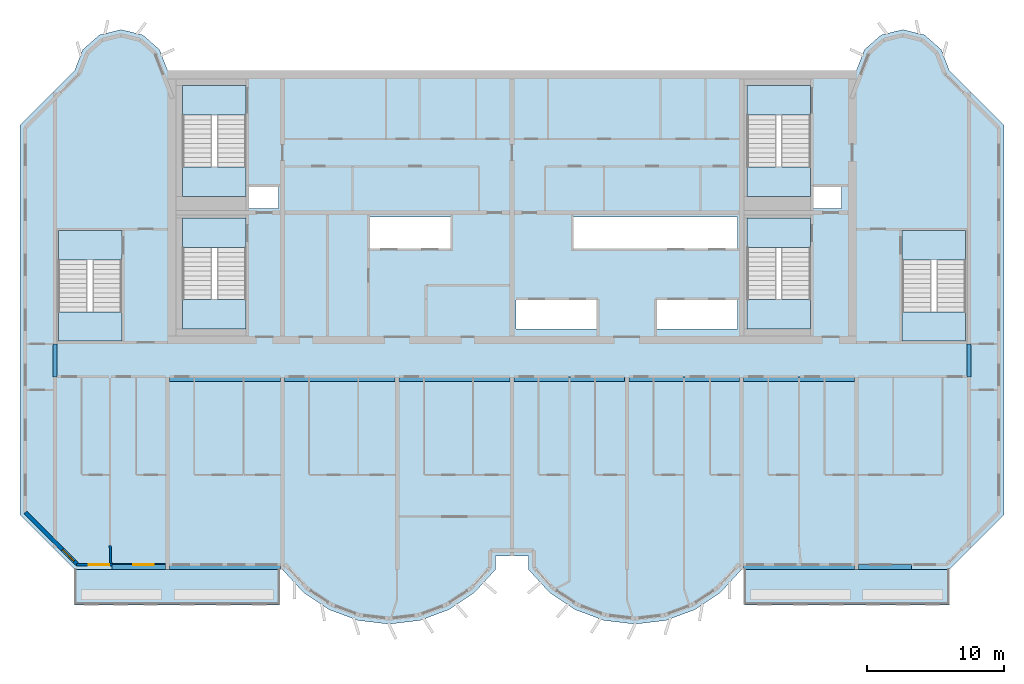
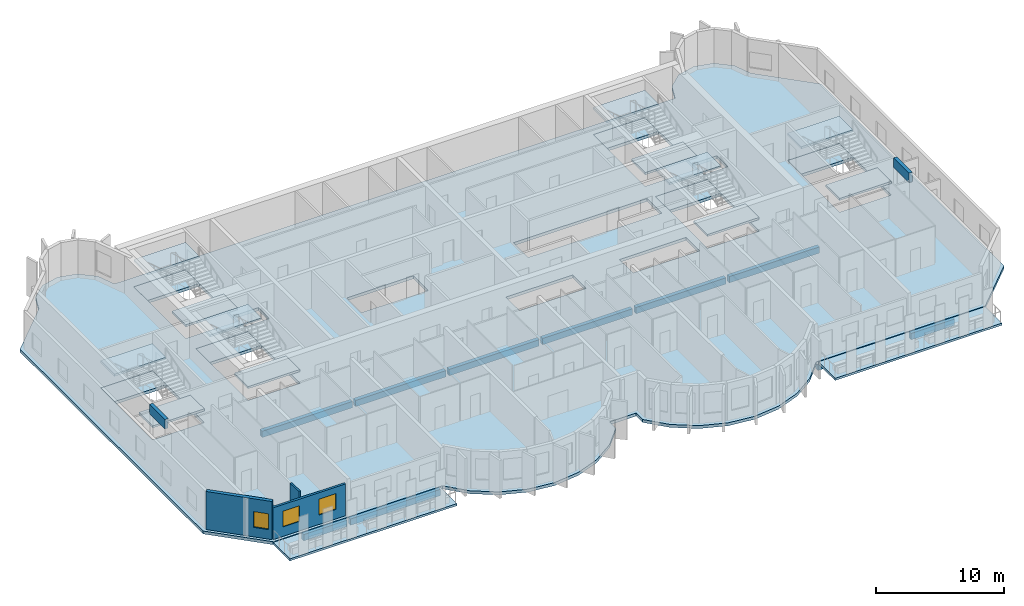
# One storey, part 1 of 11: 21 slabs, 12 beams, 3 walls, 3 windows, 3 openings, 6 elements without a shape of their own.
"""IFC4 building model written with IfcOpenShell, lengths in metres."""

from ifc_helpers import new_model, si_unit, direction, frame, frame_2d, origin, origin_2d, place, context, subcontext, project, spatial, polyline, rectangle, outline, extrude, source, transform, mapped, material, layer, layer_set, material_profile, profile_set, type_object, element, fill, aggregate, save


model = new_model("IFC4")

# Units and contexts
model_context = context("Model", 3, precision=1e-05, world=origin(), true_north=direction((0.0, 1.0)))
body_context = subcontext(model_context, "Body", "Model", "MODEL_VIEW")
ifc_project = project(units=[si_unit("LENGTHUNIT", "METRE"), si_unit("AREAUNIT", "SQUARE_METRE"), si_unit("VOLUMEUNIT", "CUBIC_METRE"), si_unit("PLANEANGLEUNIT", "RADIAN"), si_unit("MASSUNIT", "GRAM", prefix="KILO")], contexts=[model_context])

# Site, building, storey
site_placement = place(None, origin())
site = spatial("IfcSite", under=ifc_project, at=site_placement, CompositionType="ELEMENT")
building_placement = place(site_placement, origin())
building = spatial("IfcBuilding", under=site, at=building_placement, Name="Vanashikhar Sky Hotel", CompositionType="ELEMENT")
storey_placement = place(building_placement, frame((0.0, 0.0, 217.89990234375)))
storey = spatial("IfcBuildingStorey", under=building, at=storey_placement, Name="L52", CompositionType="ELEMENT", Elevation=217.89990234375)

# Beams
ifc_material_1 = material(Name="Concrete M50", Category="concrete")
ifc_material_profile_1 = material_profile(ifc_material_1, rectangle(XDim=0.300048828125, YDim=0.89990234375, at=origin_2d()))
ifc_profile_set_1 = profile_set([ifc_material_profile_1], Name="RC 300x900 beam Concrete M50")
beam_type_1 = type_object("IfcBeamType", Name="RC 300x900 beam Concrete M50", PredefinedType="LINTEL", material=ifc_profile_set_1)
shared_shape_1 = source(origin(), body_context, "Body", "SweptSolid", [
    extrude(rectangle(XDim=0.300048828125, YDim=0.89990234375, at=origin_2d()), origin(), (0.0, 0.0, 1.0), 2.39990234375),
])
for number, where, z_axis, x_axis, name in (
    (1, (16.949951171875, 19.60009765625, 3.170166015625), (0.0, 1.0, 0.0), (-1.0, 0.0, 0.0), "LB-L52-XW03"),
    (2, (83.85009765625, 19.60009765625, 3.170166015625), (0.0, 1.0, 0.0), (-1.0, 0.0, 0.0), "LB-L52-XW11"),
):
    element("IfcBeam", number, at=place(storey_placement, frame(where, z_axis=z_axis, x_axis=x_axis)), inside=storey, type_object=beam_type_1, Name=name, PredefinedType="LINTEL", context=body_context, shape_type="MappedRepresentation", body=[
        mapped(shared_shape_1, transform((0.0, 0.0, 0.0), scale=1.0)),
    ])
ifc_material_profile_2 = material_profile(ifc_material_1, rectangle(XDim=0.35009765625, YDim=0.60009765625, at=origin_2d()))
ifc_profile_set_2 = profile_set([ifc_material_profile_2], Name="RC 350x600 beam Concrete M50")
beam_type_2 = type_object("IfcBeamType", Name="RC 350x600 beam Concrete M50", PredefinedType="SPANDREL", material=ifc_profile_set_2)
shared_shape_2 = source(origin(), body_context, "Body", "SweptSolid", [
    extrude(rectangle(XDim=0.35009765625, YDim=0.60009765625, at=origin_2d()), origin(), (0.0, 0.0, 1.0), 8.099853515625),
])
for number, where, z_axis, x_axis, name in (
    (3, (25.35009765625, 5.675048828125, -0.579833984375), (1.0, 0.0, 0.0), (0.0, 1.0, 0.0), "EB-L52-F01"),
    (4, (67.35009765625, 5.675048828125, -0.579833984375), (1.0, 0.0, 0.0), (0.0, 1.0, 0.0), "EB-L52-F03"),
    (5, (25.35009765625, 19.425048828125, -0.579833984375), (1.0, 0.0, 0.0), (0.0, 1.0, 0.0), "CB-L52-01"),
    (6, (50.550048828125, 19.425048828125, -0.579833984375), (1.0, 0.0, 0.0), (0.0, 1.0, 0.0), "CB-L52-04"),
    (7, (67.35009765625, 19.425048828125, -0.579833984375), (1.0, 0.0, 0.0), (0.0, 1.0, 0.0), "CB-L52-06"),
):
    element("IfcBeam", number, at=place(storey_placement, frame(where, z_axis=z_axis, x_axis=x_axis)), inside=storey, type_object=beam_type_2, Name=name, PredefinedType="SPANDREL", context=body_context, shape_type="MappedRepresentation", body=[
        mapped(shared_shape_2, transform((0.0, 0.0, 0.0), scale=1.0)),
    ])
ifc_material_profile_3 = material_profile(ifc_material_1, rectangle(XDim=0.35009765625, YDim=0.60009765625, at=origin_2d()))
ifc_profile_set_3 = profile_set([ifc_material_profile_3], Name="RC 350x600 cantilever beam Concrete M50")
beam_type_3 = type_object("IfcBeamType", Name="RC 350x600 cantilever beam Concrete M50", PredefinedType="SPANDREL", material=ifc_profile_set_3)
shared_shape_3 = source(origin(), body_context, "Body", "SweptSolid", [
    extrude(rectangle(XDim=0.35009765625, YDim=0.60009765625, at=origin_2d()), origin(), (0.0, 0.0, 1.0), 3.900146484375),
])
beam_1_placement = place(storey_placement, frame((21.14990234375, 5.675048828125, -0.579833984375), z_axis=(1.0, 0.0, 0.0), x_axis=(0.0, 1.0, 0.0)))
element("IfcBeam", 8, at=beam_1_placement, inside=storey, type_object=beam_type_3, Name="EB-L52-F02", PredefinedType="SPANDREL", context=body_context, shape_type="MappedRepresentation", body=[
    mapped(shared_shape_3, transform((0.0, 0.0, 0.0), scale=1.0)),
])
shared_shape_4 = source(origin(), body_context, "Body", "SweptSolid", [
    extrude(rectangle(XDim=0.35009765625, YDim=0.60009765625, at=origin_2d()), origin(), (0.0, 0.0, 1.0), 3.89990234375),
])
beam_2_placement = place(storey_placement, frame((75.75, 5.675048828125, -0.579833984375), z_axis=(1.0, 0.0, 0.0), x_axis=(0.0, 1.0, 0.0)))
element("IfcBeam", 9, at=beam_2_placement, inside=storey, type_object=beam_type_3, Name="EB-L52-F04", PredefinedType="SPANDREL", context=body_context, shape_type="MappedRepresentation", body=[
    mapped(shared_shape_4, transform((0.0, 0.0, 0.0), scale=1.0)),
])
shared_shape_5 = source(origin(), body_context, "Body", "SweptSolid", [
    extrude(rectangle(XDim=0.35009765625, YDim=0.60009765625, at=origin_2d()), origin(), (0.0, 0.0, 1.0), 8.10009765625),
])
for number, where, z_axis, x_axis, name in (
    (10, (33.75, 19.425048828125, -0.579833984375), (1.0, 0.0, 0.0), (0.0, 1.0, 0.0), "CB-L52-02"),
    (11, (42.14990234375, 19.425048828125, -0.579833984375), (1.0, 0.0, 0.0), (0.0, 1.0, 0.0), "CB-L52-03"),
    (12, (58.949951171875, 19.425048828125, -0.579833984375), (1.0, 0.0, 0.0), (0.0, 1.0, 0.0), "CB-L52-05"),
):
    element("IfcBeam", number, at=place(storey_placement, frame(where, z_axis=z_axis, x_axis=x_axis)), inside=storey, type_object=beam_type_2, Name=name, PredefinedType="SPANDREL", context=body_context, shape_type="MappedRepresentation", body=[
        mapped(shared_shape_5, transform((0.0, 0.0, 0.0), scale=1.0)),
    ])

# Slabs
ifc_material_2 = material(Name="Concrete M40", Category="concrete")
ifc_layer_1 = layer(ifc_material_2, 0.280029296875)
ifc_layer_set_1 = layer_set([ifc_layer_1], Name="Floor slab 280 mm")
slab_type_1 = type_object("IfcSlabType", Name="Floor slab 280 mm", PredefinedType="FLOOR", material=ifc_layer_set_1)
shared_shape_6 = source(origin(), body_context, "Body", "SweptSolid", [
    extrude(outline(polyline([(49.199951171875, 5.5), (49.199951171875, 6.5), (51.60009765625, 6.5), (51.60009765625, 5.5), (53.133056640625, 3.825927734375), (55.01708984375, 2.55810546875), (57.14599609375, 1.76806640625), (59.39990234375, 1.5), (61.654052734375, 1.76806640625), (63.782958984375, 2.55810546875), (65.6669921875, 3.825927734375), (67.199951171875, 5.5), (82.39990234375, 5.5), (86.39990234375, 9.5), (86.39990234375, 38.0), (82.39990234375, 42.0), (81.81494140625, 43.527099609375), (80.587890625, 44.610107421875), (79.0, 45.0), (77.412109375, 44.610107421875), (76.18505859375, 43.527099609375), (75.60009765625, 42.0), (25.199951171875, 42.0), (24.614990234375, 43.527099609375), (23.387939453125, 44.610107421875), (21.800048828125, 45.0), (20.2119140625, 44.610107421875), (18.985107421875, 43.527099609375), (18.39990234375, 42.0), (14.39990234375, 38.0), (14.39990234375, 9.5), (18.39990234375, 5.5), (33.60009765625, 5.5), (35.133056640625, 3.825927734375), (37.01708984375, 2.55810546875), (39.14599609375, 1.76806640625), (41.39990234375, 1.5), (43.654052734375, 1.76806640625), (45.782958984375, 2.55810546875), (47.6669921875, 3.825927734375), (49.199951171875, 5.5)]), holes=[polyline([(33.300048828125, 33.60009765625), (31.050048828125, 33.60009765625), (31.050048828125, 31.89990234375), (33.300048828125, 31.89990234375), (33.300048828125, 33.60009765625)]), polyline([(39.89990234375, 31.300048828125), (39.89990234375, 29.0), (45.89990234375, 29.0), (45.89990234375, 31.300048828125), (39.89990234375, 31.300048828125)]), polyline([(50.699951171875, 25.199951171875), (50.699951171875, 23.10009765625), (56.699951171875, 23.10009765625), (56.699951171875, 25.199951171875), (50.699951171875, 25.199951171875)]), polyline([(66.89990234375, 29.0), (66.89990234375, 31.300048828125), (54.89990234375, 31.300048828125), (54.89990234375, 29.0), (66.89990234375, 29.0)]), polyline([(60.89990234375, 25.199951171875), (60.89990234375, 23.10009765625), (66.89990234375, 23.10009765625), (66.89990234375, 25.199951171875), (60.89990234375, 25.199951171875)]), polyline([(74.5, 33.60009765625), (72.35009765625, 33.60009765625), (72.35009765625, 31.89990234375), (74.5, 31.89990234375), (74.5, 33.60009765625)]), polyline([(30.949951171875, 23.10009765625), (30.949951171875, 31.199951171875), (26.300048828125, 31.199951171875), (26.300048828125, 23.10009765625), (30.949951171875, 23.10009765625)]), polyline([(72.25, 23.10009765625), (72.25, 31.199951171875), (67.60009765625, 31.199951171875), (67.60009765625, 23.10009765625), (72.25, 23.10009765625)]), polyline([(30.949951171875, 32.800048828125), (30.949951171875, 40.89990234375), (26.300048828125, 40.89990234375), (26.300048828125, 32.800048828125), (30.949951171875, 32.800048828125)]), polyline([(72.25, 32.800048828125), (72.25, 40.89990234375), (67.60009765625, 40.89990234375), (67.60009765625, 32.800048828125), (72.25, 32.800048828125)]), polyline([(83.60009765625, 22.199951171875), (83.60009765625, 30.300048828125), (78.949951171875, 30.300048828125), (78.949951171875, 22.199951171875), (83.60009765625, 22.199951171875)]), polyline([(21.85009765625, 22.199951171875), (21.85009765625, 30.300048828125), (17.199951171875, 30.300048828125), (17.199951171875, 22.199951171875), (21.85009765625, 22.199951171875)])]), origin(), (0.0, 0.0, 1.0), 0.27978515625),
])
slab_1_placement = place(storey_placement, frame((0.0, 0.0, -0.27978515625)))
element("IfcSlab", 13, at=slab_1_placement, inside=storey, type_object=slab_type_1, Name="Floor slab L52", PredefinedType="FLOOR", context=body_context, shape_type="MappedRepresentation", body=[
    mapped(shared_shape_6, transform((0.0, 0.0, 0.0), scale=1.0)),
])
ifc_layer_2 = layer(ifc_material_2, 0.199951171875)
ifc_layer_set_2 = layer_set([ifc_layer_2], Name="Balcony slab 200 mm")
slab_type_2 = type_object("IfcSlabType", Name="Balcony slab 200 mm", PredefinedType="USERDEFINED", material=ifc_layer_set_2)
shared_shape_7 = source(origin(), body_context, "Body", "SweptSolid", [
    extrude(outline(polyline([(18.39990234375, 2.89990234375), (33.39990234375, 2.89990234375), (33.39990234375, 5.5), (18.39990234375, 5.5), (18.39990234375, 2.89990234375)])), origin(), (0.0, 0.0, 1.0), 0.2001953125),
])
slab_2_placement = place(storey_placement, frame((0.0, 0.0, -0.25)))
element("IfcSlab", 14, at=slab_2_placement, inside=storey, type_object=slab_type_2, Name="Balcony slab L52 1", ObjectType="BALCONY", PredefinedType="USERDEFINED", context=body_context, shape_type="MappedRepresentation", body=[
    mapped(shared_shape_7, transform((0.0, 0.0, 0.0), scale=1.0)),
])
shared_shape_8 = source(origin(), body_context, "Body", "SweptSolid", [
    extrude(outline(polyline([(67.39990234375, 2.89990234375), (82.39990234375, 2.89990234375), (82.39990234375, 5.5), (67.39990234375, 5.5), (67.39990234375, 2.89990234375)])), origin(), (0.0, 0.0, 1.0), 0.2001953125),
])
slab_3_placement = place(storey_placement, frame((0.0, 0.0, -0.25)))
element("IfcSlab", 15, at=slab_3_placement, inside=storey, type_object=slab_type_2, Name="Balcony slab L52 2", ObjectType="BALCONY", PredefinedType="USERDEFINED", context=body_context, shape_type="MappedRepresentation", body=[
    mapped(shared_shape_8, transform((0.0, 0.0, 0.0), scale=1.0)),
])

# Stair, slabs
stair_type = type_object("IfcStairType", Name="Exit stair 2150", PredefinedType="DOUBLE_RETURN_STAIR", material=ifc_material_2)
stair_1_placement = place(storey_placement, origin())
stair_1 = element("IfcStair", 16, at=stair_1_placement, inside=storey, type_object=stair_type, Name="L52 Exit stair 1", PredefinedType="DOUBLE_RETURN_STAIR")
ifc_layer_3 = layer(ifc_material_2, 0.199951171875)
ifc_layer_set_3 = layer_set([ifc_layer_3], Name="Stair landing 200")
slab_type_3 = type_object("IfcSlabType", Name="Stair landing 200", PredefinedType="LANDING", material=ifc_layer_set_3)
shared_shape_9 = source(origin(), body_context, "Body", "SweptSolid", [
    extrude(outline(polyline([(30.949951171875, 29.050048828125), (30.949951171875, 31.199951171875), (26.300048828125, 31.199951171875), (26.300048828125, 29.050048828125), (30.949951171875, 29.050048828125)])), origin(), (0.0, 0.0, 1.0), 0.199951171875),
])
slab_4_placement = place(storey_placement, frame((0.0, 0.0, 2.400146484375)))
slab_4 = element("IfcSlab", 17, at=slab_4_placement, type_object=slab_type_3, Name="ST-C1 landing 2", PredefinedType="LANDING", context=body_context, shape_type="MappedRepresentation", body=[
    mapped(shared_shape_9, transform((0.0, 0.0, 0.0), scale=1.0)),
])
shared_shape_10 = source(origin(), body_context, "Body", "SweptSolid", [
    extrude(outline(polyline([(30.949951171875, 23.10009765625), (30.949951171875, 25.25), (26.300048828125, 25.25), (26.300048828125, 23.10009765625), (30.949951171875, 23.10009765625)])), origin(), (0.0, 0.0, 1.0), 0.199951171875),
])
slab_5_placement = place(storey_placement, frame((0.0, 0.0, 1.10009765625)))
slab_5 = element("IfcSlab", 18, at=slab_5_placement, type_object=slab_type_3, Name="ST-C1 landing 1", PredefinedType="LANDING", context=body_context, shape_type="MappedRepresentation", body=[
    mapped(shared_shape_10, transform((0.0, 0.0, 0.0), scale=1.0)),
])
aggregate(stair_1, [slab_5, slab_4])

# Slab
ifc_layer_4 = layer(ifc_material_2, 0.280029296875)
ifc_layer_set_4 = layer_set([ifc_layer_4], Name="Stair floor landing 280")
slab_type_4 = type_object("IfcSlabType", Name="Stair floor landing 280", PredefinedType="LANDING", material=ifc_layer_set_4)
shared_shape_11 = source(origin(), body_context, "Body", "SweptSolid", [
    extrude(outline(polyline([(30.949951171875, 29.050048828125), (30.949951171875, 31.199951171875), (26.300048828125, 31.199951171875), (26.300048828125, 29.050048828125), (30.949951171875, 29.050048828125)])), origin(), (0.0, 0.0, 1.0), 0.27978515625),
])
slab_6_placement = place(storey_placement, frame((0.0, 0.0, -0.27978515625)))
element("IfcSlab", 19, at=slab_6_placement, inside=storey, type_object=slab_type_4, Name="Exit stair 1 floor landing", PredefinedType="LANDING", context=body_context, shape_type="MappedRepresentation", body=[
    mapped(shared_shape_11, transform((0.0, 0.0, 0.0), scale=1.0)),
])

# Stair, slabs
stair_2_placement = place(storey_placement, origin())
stair_2 = element("IfcStair", 20, at=stair_2_placement, inside=storey, type_object=stair_type, Name="L52 Exit stair 2", PredefinedType="DOUBLE_RETURN_STAIR")
shared_shape_12 = source(origin(), body_context, "Body", "SweptSolid", [
    extrude(outline(polyline([(72.25, 29.050048828125), (72.25, 31.199951171875), (67.60009765625, 31.199951171875), (67.60009765625, 29.050048828125), (72.25, 29.050048828125)])), origin(), (0.0, 0.0, 1.0), 0.199951171875),
])
slab_7_placement = place(storey_placement, frame((0.0, 0.0, 2.400146484375)))
slab_7 = element("IfcSlab", 21, at=slab_7_placement, type_object=slab_type_3, Name="ST-C2 landing 2", PredefinedType="LANDING", context=body_context, shape_type="MappedRepresentation", body=[
    mapped(shared_shape_12, transform((0.0, 0.0, 0.0), scale=1.0)),
])
shared_shape_13 = source(origin(), body_context, "Body", "SweptSolid", [
    extrude(outline(polyline([(72.25, 23.10009765625), (72.25, 25.25), (67.60009765625, 25.25), (67.60009765625, 23.10009765625), (72.25, 23.10009765625)])), origin(), (0.0, 0.0, 1.0), 0.199951171875),
])
slab_8_placement = place(storey_placement, frame((0.0, 0.0, 1.10009765625)))
slab_8 = element("IfcSlab", 22, at=slab_8_placement, type_object=slab_type_3, Name="ST-C2 landing 1", PredefinedType="LANDING", context=body_context, shape_type="MappedRepresentation", body=[
    mapped(shared_shape_13, transform((0.0, 0.0, 0.0), scale=1.0)),
])
aggregate(stair_2, [slab_8, slab_7])

# Slab
shared_shape_14 = source(origin(), body_context, "Body", "SweptSolid", [
    extrude(outline(polyline([(72.25, 29.050048828125), (72.25, 31.199951171875), (67.60009765625, 31.199951171875), (67.60009765625, 29.050048828125), (72.25, 29.050048828125)])), origin(), (0.0, 0.0, 1.0), 0.27978515625),
])
slab_9_placement = place(storey_placement, frame((0.0, 0.0, -0.27978515625)))
element("IfcSlab", 23, at=slab_9_placement, inside=storey, type_object=slab_type_4, Name="Exit stair 2 floor landing", PredefinedType="LANDING", context=body_context, shape_type="MappedRepresentation", body=[
    mapped(shared_shape_14, transform((0.0, 0.0, 0.0), scale=1.0)),
])

# Stair, slabs
stair_3_placement = place(storey_placement, origin())
stair_3 = element("IfcStair", 24, at=stair_3_placement, inside=storey, type_object=stair_type, Name="L52 Exit stair 3", PredefinedType="DOUBLE_RETURN_STAIR")
shared_shape_15 = source(origin(), body_context, "Body", "SweptSolid", [
    extrude(outline(polyline([(21.85009765625, 28.14990234375), (21.85009765625, 30.300048828125), (17.199951171875, 30.300048828125), (17.199951171875, 28.14990234375), (21.85009765625, 28.14990234375)])), origin(), (0.0, 0.0, 1.0), 0.199951171875),
])
slab_10_placement = place(storey_placement, frame((0.0, 0.0, 2.400146484375)))
slab_10 = element("IfcSlab", 25, at=slab_10_placement, type_object=slab_type_3, Name="ST-W landing 2", PredefinedType="LANDING", context=body_context, shape_type="MappedRepresentation", body=[
    mapped(shared_shape_15, transform((0.0, 0.0, 0.0), scale=1.0)),
])
shared_shape_16 = source(origin(), body_context, "Body", "SweptSolid", [
    extrude(outline(polyline([(21.85009765625, 22.199951171875), (21.85009765625, 24.35009765625), (17.199951171875, 24.35009765625), (17.199951171875, 22.199951171875), (21.85009765625, 22.199951171875)])), origin(), (0.0, 0.0, 1.0), 0.199951171875),
])
slab_11_placement = place(storey_placement, frame((0.0, 0.0, 1.10009765625)))
slab_11 = element("IfcSlab", 26, at=slab_11_placement, type_object=slab_type_3, Name="ST-W landing 1", PredefinedType="LANDING", context=body_context, shape_type="MappedRepresentation", body=[
    mapped(shared_shape_16, transform((0.0, 0.0, 0.0), scale=1.0)),
])
aggregate(stair_3, [slab_11, slab_10])

# Slab
shared_shape_17 = source(origin(), body_context, "Body", "SweptSolid", [
    extrude(outline(polyline([(21.85009765625, 28.14990234375), (21.85009765625, 30.300048828125), (17.199951171875, 30.300048828125), (17.199951171875, 28.14990234375), (21.85009765625, 28.14990234375)])), origin(), (0.0, 0.0, 1.0), 0.27978515625),
])
slab_12_placement = place(storey_placement, frame((0.0, 0.0, -0.27978515625)))
element("IfcSlab", 27, at=slab_12_placement, inside=storey, type_object=slab_type_4, Name="Exit stair 3 floor landing", PredefinedType="LANDING", context=body_context, shape_type="MappedRepresentation", body=[
    mapped(shared_shape_17, transform((0.0, 0.0, 0.0), scale=1.0)),
])

# Stair, slabs
stair_4_placement = place(storey_placement, origin())
stair_4 = element("IfcStair", 28, at=stair_4_placement, inside=storey, type_object=stair_type, Name="L52 Exit stair 4", PredefinedType="DOUBLE_RETURN_STAIR")
shared_shape_18 = source(origin(), body_context, "Body", "SweptSolid", [
    extrude(outline(polyline([(83.60009765625, 28.14990234375), (83.60009765625, 30.300048828125), (78.949951171875, 30.300048828125), (78.949951171875, 28.14990234375), (83.60009765625, 28.14990234375)])), origin(), (0.0, 0.0, 1.0), 0.199951171875),
])
slab_13_placement = place(storey_placement, frame((0.0, 0.0, 2.400146484375)))
slab_13 = element("IfcSlab", 29, at=slab_13_placement, type_object=slab_type_3, Name="ST-E landing 2", PredefinedType="LANDING", context=body_context, shape_type="MappedRepresentation", body=[
    mapped(shared_shape_18, transform((0.0, 0.0, 0.0), scale=1.0)),
])
shared_shape_19 = source(origin(), body_context, "Body", "SweptSolid", [
    extrude(outline(polyline([(83.60009765625, 22.199951171875), (83.60009765625, 24.35009765625), (78.949951171875, 24.35009765625), (78.949951171875, 22.199951171875), (83.60009765625, 22.199951171875)])), origin(), (0.0, 0.0, 1.0), 0.199951171875),
])
slab_14_placement = place(storey_placement, frame((0.0, 0.0, 1.10009765625)))
slab_14 = element("IfcSlab", 30, at=slab_14_placement, type_object=slab_type_3, Name="ST-E landing 1", PredefinedType="LANDING", context=body_context, shape_type="MappedRepresentation", body=[
    mapped(shared_shape_19, transform((0.0, 0.0, 0.0), scale=1.0)),
])
aggregate(stair_4, [slab_14, slab_13])

# Slab
shared_shape_20 = source(origin(), body_context, "Body", "SweptSolid", [
    extrude(outline(polyline([(83.60009765625, 28.14990234375), (83.60009765625, 30.300048828125), (78.949951171875, 30.300048828125), (78.949951171875, 28.14990234375), (83.60009765625, 28.14990234375)])), origin(), (0.0, 0.0, 1.0), 0.27978515625),
])
slab_15_placement = place(storey_placement, frame((0.0, 0.0, -0.27978515625)))
element("IfcSlab", 31, at=slab_15_placement, inside=storey, type_object=slab_type_4, Name="Exit stair 4 floor landing", PredefinedType="LANDING", context=body_context, shape_type="MappedRepresentation", body=[
    mapped(shared_shape_20, transform((0.0, 0.0, 0.0), scale=1.0)),
])

# Stair, slabs
stair_5_placement = place(storey_placement, origin())
stair_5 = element("IfcStair", 32, at=stair_5_placement, inside=storey, type_object=stair_type, Name="L52 Exit stair 5", PredefinedType="DOUBLE_RETURN_STAIR")
shared_shape_21 = source(origin(), body_context, "Body", "SweptSolid", [
    extrude(outline(polyline([(30.949951171875, 38.75), (30.949951171875, 40.89990234375), (26.300048828125, 40.89990234375), (26.300048828125, 38.75), (30.949951171875, 38.75)])), origin(), (0.0, 0.0, 1.0), 0.199951171875),
])
slab_16_placement = place(storey_placement, frame((0.0, 0.0, 2.400146484375)))
slab_16 = element("IfcSlab", 33, at=slab_16_placement, type_object=slab_type_3, Name="ST-C3 landing 2", PredefinedType="LANDING", context=body_context, shape_type="MappedRepresentation", body=[
    mapped(shared_shape_21, transform((0.0, 0.0, 0.0), scale=1.0)),
])
shared_shape_22 = source(origin(), body_context, "Body", "SweptSolid", [
    extrude(outline(polyline([(30.949951171875, 32.800048828125), (30.949951171875, 34.949951171875), (26.300048828125, 34.949951171875), (26.300048828125, 32.800048828125), (30.949951171875, 32.800048828125)])), origin(), (0.0, 0.0, 1.0), 0.199951171875),
])
slab_17_placement = place(storey_placement, frame((0.0, 0.0, 1.10009765625)))
slab_17 = element("IfcSlab", 34, at=slab_17_placement, type_object=slab_type_3, Name="ST-C3 landing 1", PredefinedType="LANDING", context=body_context, shape_type="MappedRepresentation", body=[
    mapped(shared_shape_22, transform((0.0, 0.0, 0.0), scale=1.0)),
])
aggregate(stair_5, [slab_17, slab_16])

# Slab
shared_shape_23 = source(origin(), body_context, "Body", "SweptSolid", [
    extrude(outline(polyline([(30.949951171875, 38.75), (30.949951171875, 40.89990234375), (26.300048828125, 40.89990234375), (26.300048828125, 38.75), (30.949951171875, 38.75)])), origin(), (0.0, 0.0, 1.0), 0.27978515625),
])
slab_18_placement = place(storey_placement, frame((0.0, 0.0, -0.27978515625)))
element("IfcSlab", 35, at=slab_18_placement, inside=storey, type_object=slab_type_4, Name="Exit stair 5 floor landing", PredefinedType="LANDING", context=body_context, shape_type="MappedRepresentation", body=[
    mapped(shared_shape_23, transform((0.0, 0.0, 0.0), scale=1.0)),
])

# Stair, slabs
stair_6_placement = place(storey_placement, origin())
stair_6 = element("IfcStair", 36, at=stair_6_placement, inside=storey, type_object=stair_type, Name="L52 Exit stair 6", PredefinedType="DOUBLE_RETURN_STAIR")
shared_shape_24 = source(origin(), body_context, "Body", "SweptSolid", [
    extrude(outline(polyline([(72.25, 38.75), (72.25, 40.89990234375), (67.60009765625, 40.89990234375), (67.60009765625, 38.75), (72.25, 38.75)])), origin(), (0.0, 0.0, 1.0), 0.199951171875),
])
slab_19_placement = place(storey_placement, frame((0.0, 0.0, 2.400146484375)))
slab_19 = element("IfcSlab", 37, at=slab_19_placement, type_object=slab_type_3, Name="ST-C4 landing 2", PredefinedType="LANDING", context=body_context, shape_type="MappedRepresentation", body=[
    mapped(shared_shape_24, transform((0.0, 0.0, 0.0), scale=1.0)),
])
shared_shape_25 = source(origin(), body_context, "Body", "SweptSolid", [
    extrude(outline(polyline([(72.25, 32.800048828125), (72.25, 34.949951171875), (67.60009765625, 34.949951171875), (67.60009765625, 32.800048828125), (72.25, 32.800048828125)])), origin(), (0.0, 0.0, 1.0), 0.199951171875),
])
slab_20_placement = place(storey_placement, frame((0.0, 0.0, 1.10009765625)))
slab_20 = element("IfcSlab", 38, at=slab_20_placement, type_object=slab_type_3, Name="ST-C4 landing 1", PredefinedType="LANDING", context=body_context, shape_type="MappedRepresentation", body=[
    mapped(shared_shape_25, transform((0.0, 0.0, 0.0), scale=1.0)),
])
aggregate(stair_6, [slab_20, slab_19])

# Slab
shared_shape_26 = source(origin(), body_context, "Body", "SweptSolid", [
    extrude(outline(polyline([(72.25, 38.75), (72.25, 40.89990234375), (67.60009765625, 40.89990234375), (67.60009765625, 38.75), (72.25, 38.75)])), origin(), (0.0, 0.0, 1.0), 0.27978515625),
])
slab_21_placement = place(storey_placement, frame((0.0, 0.0, -0.27978515625)))
element("IfcSlab", 39, at=slab_21_placement, inside=storey, type_object=slab_type_4, Name="Exit stair 6 floor landing", PredefinedType="LANDING", context=body_context, shape_type="MappedRepresentation", body=[
    mapped(shared_shape_26, transform((0.0, 0.0, 0.0), scale=1.0)),
])

# Wall, openings, windows
ifc_layer_5 = layer(ifc_material_1, 0.199951171875)
ifc_layer_set_5 = layer_set([ifc_layer_5], Name="Front window wall 200")
wall_type_1 = type_object("IfcWallType", Name="Front window wall 200", PredefinedType="SOLIDWALL", material=ifc_layer_set_5)
shared_shape_27 = source(origin(), body_context, "Body", "SweptSolid", [
    extrude(rectangle(XDim=6.505126953125, YDim=0.199951171875, at=frame_2d((3.25244140625, 0.0))), origin(), (0.0, 0.0, 1.0), 3.02001953125),
])
wall_1_placement = place(storey_placement, frame((18.544921875, 5.85009765625, 0.0), z_axis=(0.0, 0.0, 1.0), x_axis=(1.0, 0.0, 0.0)))
wall_1 = element("IfcWall", 40, at=wall_1_placement, inside=storey, type_object=wall_type_1, Name="Front window wall", PredefinedType="SOLIDWALL", context=body_context, shape_type="MappedRepresentation", body=[
    mapped(shared_shape_27, transform((0.0, 0.0, 0.0), scale=1.0)),
])
shared_shape_28 = source(origin(), body_context, "Body", "SweptSolid", [
    extrude(rectangle(XDim=1.5, YDim=1.5, at=frame_2d((0.75, 0.75))), frame((0.0, 0.10986328125, 0.0), z_axis=(0.0, -1.0, 0.0), x_axis=(1.0, 0.0, 0.0)), (0.0, 0.0, 1.0), 0.219970703125),
])
opening_1_placement = place(wall_1_placement, frame((0.876220703125, 0.0, 0.89990234375)))
opening_1 = element("IfcOpeningElement", 41, at=opening_1_placement, cuts=wall_1, Name="Opening WN-1", PredefinedType="OPENING", context=body_context, shape_type="MappedRepresentation", body=[
    mapped(shared_shape_28, transform((0.0, 0.0, 0.0), scale=1.0)),
])
opening_2_placement = place(wall_1_placement, frame((4.128662109375, 0.0, 0.89990234375)))
opening_2 = element("IfcOpeningElement", 42, at=opening_2_placement, cuts=wall_1, Name="Opening WN-1", PredefinedType="OPENING", context=body_context, shape_type="MappedRepresentation", body=[
    mapped(shared_shape_28, transform((0.0, 0.0, 0.0), scale=1.0)),
])
ifc_material_3 = material(Name="Glass", Category="glass")
window_type_1 = type_object("IfcWindowType", Name="Window 1500 x 1500", PartitioningType="SINGLE_PANEL", PredefinedType="WINDOW", material=ifc_material_3)
shared_shape_29 = source(origin(), body_context, "Body", "SweptSolid", [
    extrude(rectangle(XDim=1.5, YDim=1.5, at=frame_2d((0.75, 0.75))), frame((0.0, 0.030029296875, 0.0), z_axis=(0.0, -1.0, 0.0), x_axis=(1.0, 0.0, 0.0)), (0.0, 0.0, 1.0), 0.06005859375),
])
window_1_placement = place(opening_1_placement, origin())
window_1 = element("IfcWindow", 43, at=window_1_placement, inside=storey, type_object=window_type_1, Name="Window WN-1", OverallHeight=1.5, OverallWidth=1.5, PartitioningType="SINGLE_PANEL", PredefinedType="WINDOW", context=body_context, shape_type="MappedRepresentation", body=[
    mapped(shared_shape_29, transform((0.0, 0.0, 0.0), scale=1.0)),
])
fill(opening_1, window_1)
window_2_placement = place(opening_2_placement, origin())
window_2 = element("IfcWindow", 44, at=window_2_placement, inside=storey, type_object=window_type_1, Name="Window WN-1", OverallHeight=1.5, OverallWidth=1.5, PartitioningType="SINGLE_PANEL", PredefinedType="WINDOW", context=body_context, shape_type="MappedRepresentation", body=[
    mapped(shared_shape_29, transform((0.0, 0.0, 0.0), scale=1.0)),
])
fill(opening_2, window_2)

# Wall, opening, window
ifc_layer_6 = layer(ifc_material_1, 0.300048828125)
ifc_layer_set_6 = layer_set([ifc_layer_6], Name="Lobe wall 300")
wall_type_2 = type_object("IfcWallType", Name="Lobe wall 300", PredefinedType="SOLIDWALL", material=ifc_layer_set_6)
shared_shape_30 = source(origin(), body_context, "Body", "SweptSolid", [
    extrude(rectangle(XDim=5.32568359375, YDim=0.300048828125, at=frame_2d((2.662841796875, 0.0))), origin(), (0.0, 0.0, 1.0), 3.6201171875),
])
wall_2_placement = place(storey_placement, frame((14.800048828125, 9.665771484375, 0.0), z_axis=(0.0, 0.0, 1.0), x_axis=(0.707083859269, -0.707129702361, 0.0)))
wall_2 = element("IfcWall", 45, at=wall_2_placement, inside=storey, type_object=wall_type_2, Name="Corner wall", PredefinedType="SOLIDWALL", context=body_context, shape_type="MappedRepresentation", body=[
    mapped(shared_shape_30, transform((0.0, 0.0, 0.0), scale=1.0)),
])
shared_shape_31 = source(origin(), body_context, "Body", "SweptSolid", [
    extrude(rectangle(XDim=1.199951171875, YDim=1.5, at=frame_2d((0.60009765625, 0.75))), frame((0.0, 0.16015625, 0.0), z_axis=(0.0, -1.0, 0.0), x_axis=(1.0, 0.0, 0.0)), (0.0, 0.0, 1.0), 0.320068359375),
])
opening_3_placement = place(wall_2_placement, frame((3.8330078125, 0.0, 0.89990234375)))
opening_3 = element("IfcOpeningElement", 46, at=opening_3_placement, cuts=wall_2, Name="Opening WN-3", PredefinedType="OPENING", context=body_context, shape_type="MappedRepresentation", body=[
    mapped(shared_shape_31, transform((0.0, 0.0, 0.0), scale=1.0)),
])
window_type_2 = type_object("IfcWindowType", Name="Corridor end window 1200 x 1500", PartitioningType="SINGLE_PANEL", PredefinedType="WINDOW", material=ifc_material_3)
shared_shape_32 = source(origin(), body_context, "Body", "SweptSolid", [
    extrude(rectangle(XDim=1.199951171875, YDim=1.5, at=frame_2d((0.60009765625, 0.75))), frame((0.0, 0.030029296875, 0.0), z_axis=(0.0, -1.0, 0.0), x_axis=(1.0, 0.0, 0.0)), (0.0, 0.0, 1.0), 0.06005859375),
])
window_3_placement = place(opening_3_placement, origin())
window_3 = element("IfcWindow", 47, at=window_3_placement, inside=storey, type_object=window_type_2, Name="Window WN-3", OverallHeight=1.5, OverallWidth=1.199951171875, PartitioningType="SINGLE_PANEL", PredefinedType="WINDOW", context=body_context, shape_type="MappedRepresentation", body=[
    mapped(shared_shape_32, transform((0.0, 0.0, 0.0), scale=1.0)),
])
fill(opening_3, window_3)

# Wall
ifc_material_4 = material(Name="Gypsum plasterboard partition")
ifc_layer_7 = layer(ifc_material_4, 0.14990234375)
ifc_layer_set_7 = layer_set([ifc_layer_7], Name="Corridor and demising partition 150")
wall_type_3 = type_object("IfcWallType", Name="Corridor and demising partition 150", PredefinedType="PARTITIONING", material=ifc_layer_set_7)
shared_shape_33 = source(origin(), body_context, "Body", "SweptSolid", [
    extrude(rectangle(XDim=1.30078125, YDim=0.14990234375, at=frame_2d((0.650390625, 0.0))), origin(), (0.0, 0.0, 1.0), 3.6201171875),
])
wall_3_placement = place(storey_placement, frame((21.041015625, 5.949951171875, 0.0), z_axis=(0.0, 0.0, 1.0), x_axis=(-0.031533606063, 0.999502692187, 0.0)))
element("IfcWall", 48, at=wall_3_placement, inside=storey, type_object=wall_type_3, Name="W-L52-PW007B0", PredefinedType="PARTITIONING", context=body_context, shape_type="MappedRepresentation", body=[
    mapped(shared_shape_33, transform((0.0, 0.0, 0.0), scale=1.0)),
])

save(model, "model.ifc")
